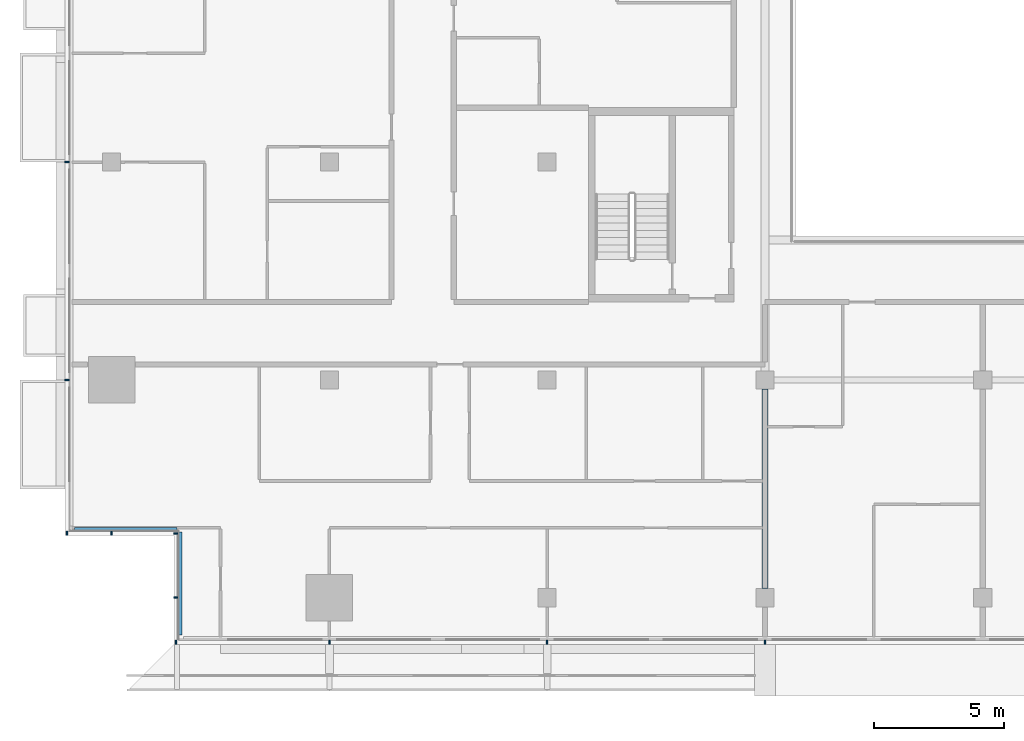
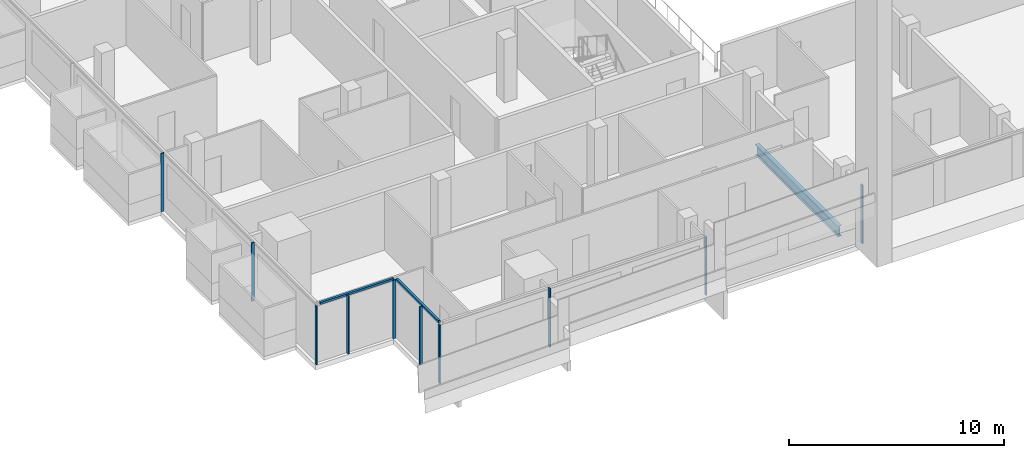
# One storey, part 2 of 31: 12 members, 1 beam, 4 elements without a shape of their own.
"""IFC4 building model written with IfcOpenShell, lengths in metres."""

from ifc_helpers import new_model, si_unit, direction, frame, origin, origin_2d, place, context, subcontext, project, spatial, rectangle, i_section, extrude, material, material_profile, profile_set, type_object, element, aggregate, save


model = new_model("IFC4")

# Units and contexts
model_context = context("Model", 3, precision=1e-05, world=origin(), true_north=direction((0.0, 1.0)))
body_context = subcontext(model_context, "Body", "Model", "MODEL_VIEW")
ifc_project = project(units=[si_unit("LENGTHUNIT", "METRE"), si_unit("AREAUNIT", "SQUARE_METRE"), si_unit("VOLUMEUNIT", "CUBIC_METRE"), si_unit("PLANEANGLEUNIT", "RADIAN"), si_unit("MASSUNIT", "GRAM", prefix="KILO")], contexts=[model_context])

# Site, building, storey
site_placement = place(None, origin())
site = spatial("IfcSite", under=ifc_project, at=site_placement, CompositionType="ELEMENT")
building_placement = place(site_placement, origin())
building = spatial("IfcBuilding", under=site, at=building_placement, Name="Saffron Gate Tower", CompositionType="ELEMENT")
storey_placement = place(building_placement, frame((0.0, 0.0, 147.449951171875)))
storey = spatial("IfcBuildingStorey", under=building, at=storey_placement, Name="L35", CompositionType="ELEMENT", Elevation=147.449951171875)

# Beam
ifc_material_1 = material(Name="Structural steel S355", Category="steel")
ifc_material_profile_1 = material_profile(ifc_material_1, i_section(OverallWidth=0.219970703125, OverallDepth=0.60009765625, WebThickness=0.011962890625, FlangeThickness=0.01904296875, FilletRadius=0.02392578125, at=origin_2d()))
ifc_profile_set_1 = profile_set([ifc_material_profile_1], Name="Structural steel S355")
beam_type = type_object("IfcBeamType", Name="B15 IPE 600", PredefinedType="BEAM", material=ifc_profile_set_1)
beam_placement = place(storey_placement, frame((75.0, 32.14990234375, -0.579833984375), z_axis=(0.0, 1.0, 0.0), x_axis=(-1.0, 0.0, 0.0)))
element("IfcBeam", 1, at=beam_placement, inside=storey, type_object=beam_type, Name="B15 FLOOR GIRDER", PredefinedType="BEAM", context=body_context, shape_type="SweptSolid", body=[
    extrude(i_section(OverallWidth=0.219970703125, OverallDepth=0.60009765625, WebThickness=0.011962890625, FlangeThickness=0.01904296875, FilletRadius=0.02392578125, at=origin_2d()), origin(), (0.0, 0.0, 1.0), 7.7001953125),
])

# Curtain wall, members
ifc_material_2 = material(Name="Aluminium, bronze anodised", Category="aluminium")
curtain_wall_type_1 = type_object("IfcCurtainWallType", Name="CWS1 curtain wall front facade", PredefinedType="NOTDEFINED", material=ifc_material_2)
curtain_wall_1_placement = place(storey_placement, origin())
curtain_wall_1 = element("IfcCurtainWall", 2, at=curtain_wall_1_placement, inside=storey, type_object=curtain_wall_type_1, Name="CWS1 run 1", PredefinedType="NOTDEFINED")
ifc_material_profile_2 = material_profile(ifc_material_2, rectangle(XDim=0.159912109375, YDim=0.06005859375, at=origin_2d()))
ifc_profile_set_2 = profile_set([ifc_material_profile_2], Name="Aluminium, bronze anodised")
member_type_1 = type_object("IfcMemberType", Name="CWS1 mullion 60x160", PredefinedType="MULLION", material=ifc_profile_set_2)
member_1_placement = place(storey_placement, frame((52.280029296875, 30.080078125, 0.0), z_axis=(0.0, 0.0, 1.0), x_axis=(0.0, 1.0, 0.0)))
member_1 = element("IfcMember", 3, at=member_1_placement, type_object=member_type_1, Name="CWS1 mullion 1", PredefinedType="MULLION", context=body_context, shape_type="SweptSolid", body=[
    extrude(rectangle(XDim=0.159912109375, YDim=0.06005859375, at=origin_2d()), origin(), (0.0, 0.0, 1.0), 3.320068359375),
])
member_2_placement = place(storey_placement, frame((58.199951171875, 30.080078125, 0.0), z_axis=(0.0, 0.0, 1.0), x_axis=(0.0, 1.0, 0.0)))
member_2 = element("IfcMember", 4, at=member_2_placement, type_object=member_type_1, Name="CWS1 mullion 2", PredefinedType="MULLION", context=body_context, shape_type="SweptSolid", body=[
    extrude(rectangle(XDim=0.159912109375, YDim=0.06005859375, at=origin_2d()), origin(), (0.0, 0.0, 1.0), 3.320068359375),
])
member_3_placement = place(storey_placement, frame((66.60009765625, 30.080078125, 0.0), z_axis=(0.0, 0.0, 1.0), x_axis=(0.0, 1.0, 0.0)))
member_3 = element("IfcMember", 5, at=member_3_placement, type_object=member_type_1, Name="CWS1 mullion 3", PredefinedType="MULLION", context=body_context, shape_type="SweptSolid", body=[
    extrude(rectangle(XDim=0.159912109375, YDim=0.06005859375, at=origin_2d()), origin(), (0.0, 0.0, 1.0), 3.320068359375),
])
member_4_placement = place(storey_placement, frame((75.0, 30.080078125, 0.0), z_axis=(0.0, 0.0, 1.0), x_axis=(0.0, 1.0, 0.0)))
member_4 = element("IfcMember", 6, at=member_4_placement, type_object=member_type_1, Name="CWS1 mullion 4", PredefinedType="MULLION", context=body_context, shape_type="SweptSolid", body=[
    extrude(rectangle(XDim=0.159912109375, YDim=0.06005859375, at=origin_2d()), origin(), (0.0, 0.0, 1.0), 3.320068359375),
])
aggregate(curtain_wall_1, [member_1, member_2, member_3, member_4])

curtain_wall_type_2 = type_object("IfcCurtainWallType", Name="CWS2 curtain wall side facades", PredefinedType="NOTDEFINED", material=ifc_material_2)
curtain_wall_2_placement = place(storey_placement, origin())
curtain_wall_2 = element("IfcCurtainWall", 7, at=curtain_wall_2_placement, inside=storey, type_object=curtain_wall_type_2, Name="CWS2 run 10", PredefinedType="NOTDEFINED")
ifc_material_profile_3 = material_profile(ifc_material_2, rectangle(XDim=0.159912109375, YDim=0.06005859375, at=origin_2d()))
ifc_profile_set_3 = profile_set([ifc_material_profile_3], Name="Aluminium, bronze anodised")
member_type_2 = type_object("IfcMemberType", Name="CWS2 mullion 60x160", PredefinedType="MULLION", material=ifc_profile_set_3)
member_5_placement = place(storey_placement, frame((48.080078125, 48.60009765625, 0.0), z_axis=(0.0, 0.0, 1.0), x_axis=(1.0, 0.0, 0.0)))
member_5 = element("IfcMember", 8, at=member_5_placement, type_object=member_type_2, Name="CWS2 mullion 4", PredefinedType="MULLION", context=body_context, shape_type="SweptSolid", body=[
    extrude(rectangle(XDim=0.159912109375, YDim=0.06005859375, at=origin_2d()), origin(), (0.0, 0.0, 1.0), 3.320068359375),
])
member_6_placement = place(storey_placement, frame((48.080078125, 40.199951171875, 0.0), z_axis=(0.0, 0.0, 1.0), x_axis=(1.0, 0.0, 0.0)))
member_6 = element("IfcMember", 9, at=member_6_placement, type_object=member_type_2, Name="CWS2 mullion 5", PredefinedType="MULLION", context=body_context, shape_type="SweptSolid", body=[
    extrude(rectangle(XDim=0.159912109375, YDim=0.06005859375, at=origin_2d()), origin(), (0.0, 0.0, 1.0), 3.320068359375),
])
aggregate(curtain_wall_2, [member_5, member_6])

# Curtain wall, member
curtain_wall_type_3 = type_object("IfcCurtainWallType", Name="CWS4 curtain wall corner returns", PredefinedType="NOTDEFINED", material=ifc_material_2)
curtain_wall_3_placement = place(storey_placement, origin())
curtain_wall_3 = element("IfcCurtainWall", 10, at=curtain_wall_3_placement, inside=storey, type_object=curtain_wall_type_3, Name="CWS4 run 11", PredefinedType="NOTDEFINED")
ifc_material_profile_4 = material_profile(ifc_material_2, rectangle(XDim=0.1201171875, YDim=0.1201171875, at=origin_2d()))
ifc_profile_set_4 = profile_set([ifc_material_profile_4], Name="Aluminium, bronze anodised")
member_type_3 = type_object("IfcMemberType", Name="CWS4 head transom", PredefinedType="USERDEFINED", material=ifc_profile_set_4)
member_7_placement = place(storey_placement, frame((48.367919921875, 34.447998046875, 3.260009765625), z_axis=(1.0, 0.0, 0.0), x_axis=(0.0, 1.0, 0.0)))
member_7 = element("IfcMember", 11, at=member_7_placement, type_object=member_type_3, Name="CWS4 head transom", ObjectType="TRANSOM", PredefinedType="USERDEFINED", context=body_context, shape_type="SweptSolid", body=[
    extrude(rectangle(XDim=0.1201171875, YDim=0.1201171875, at=origin_2d()), origin(), (0.0, 0.0, 1.0), 3.9599609375),
])

curtain_wall_4_placement = place(storey_placement, origin())
curtain_wall_4 = element("IfcCurtainWall", 12, at=curtain_wall_4_placement, inside=storey, type_object=curtain_wall_type_3, Name="CWS4 run 12", PredefinedType="NOTDEFINED")
member_8_placement = place(storey_placement, frame((52.447998046875, 34.327880859375, 3.260009765625), z_axis=(0.0, -1.0, 0.0), x_axis=(1.0, 0.0, 0.0)))
member_8 = element("IfcMember", 13, at=member_8_placement, type_object=member_type_3, Name="CWS4 head transom", ObjectType="TRANSOM", PredefinedType="USERDEFINED", context=body_context, shape_type="SweptSolid", body=[
    extrude(rectangle(XDim=0.1201171875, YDim=0.1201171875, at=origin_2d()), origin(), (0.0, 0.0, 1.0), 3.9599609375),
])

# Member
ifc_material_profile_5 = material_profile(ifc_material_2, rectangle(XDim=0.159912109375, YDim=0.06005859375, at=origin_2d()))
ifc_profile_set_5 = profile_set([ifc_material_profile_5], Name="Aluminium, bronze anodised")
member_type_4 = type_object("IfcMemberType", Name="CWS4 mullion 60x160", PredefinedType="MULLION", material=ifc_profile_set_5)
member_9_placement = place(storey_placement, frame((48.080078125, 34.280029296875, 0.0), z_axis=(0.0, 0.0, 1.0), x_axis=(0.0, 1.0, 0.0)))
member_9 = element("IfcMember", 14, at=member_9_placement, type_object=member_type_4, Name="CWS4 mullion 1", PredefinedType="MULLION", context=body_context, shape_type="SweptSolid", body=[
    extrude(rectangle(XDim=0.159912109375, YDim=0.06005859375, at=origin_2d()), origin(), (0.0, 0.0, 1.0), 3.320068359375),
])

member_10_placement = place(storey_placement, frame((49.800048828125, 34.280029296875, 0.0), z_axis=(0.0, 0.0, 1.0), x_axis=(0.0, 1.0, 0.0)))
member_10 = element("IfcMember", 15, at=member_10_placement, type_object=member_type_4, Name="CWS4 mullion 2", PredefinedType="MULLION", context=body_context, shape_type="SweptSolid", body=[
    extrude(rectangle(XDim=0.159912109375, YDim=0.06005859375, at=origin_2d()), origin(), (0.0, 0.0, 1.0), 3.320068359375),
])

aggregate(curtain_wall_3, [member_9, member_10, member_7])

member_11_placement = place(storey_placement, frame((52.280029296875, 34.280029296875, 0.0), z_axis=(0.0, 0.0, 1.0), x_axis=(1.0, 0.0, 0.0)))
member_11 = element("IfcMember", 16, at=member_11_placement, type_object=member_type_4, Name="CWS4 mullion 1", PredefinedType="MULLION", context=body_context, shape_type="SweptSolid", body=[
    extrude(rectangle(XDim=0.159912109375, YDim=0.06005859375, at=origin_2d()), origin(), (0.0, 0.0, 1.0), 3.320068359375),
])

member_12_placement = place(storey_placement, frame((52.280029296875, 31.800048828125, 0.0), z_axis=(0.0, 0.0, 1.0), x_axis=(1.0, 0.0, 0.0)))
member_12 = element("IfcMember", 17, at=member_12_placement, type_object=member_type_4, Name="CWS4 mullion 2", PredefinedType="MULLION", context=body_context, shape_type="SweptSolid", body=[
    extrude(rectangle(XDim=0.159912109375, YDim=0.06005859375, at=origin_2d()), origin(), (0.0, 0.0, 1.0), 3.320068359375),
])

aggregate(curtain_wall_4, [member_11, member_12, member_8])

save(model, "model.ifc")
